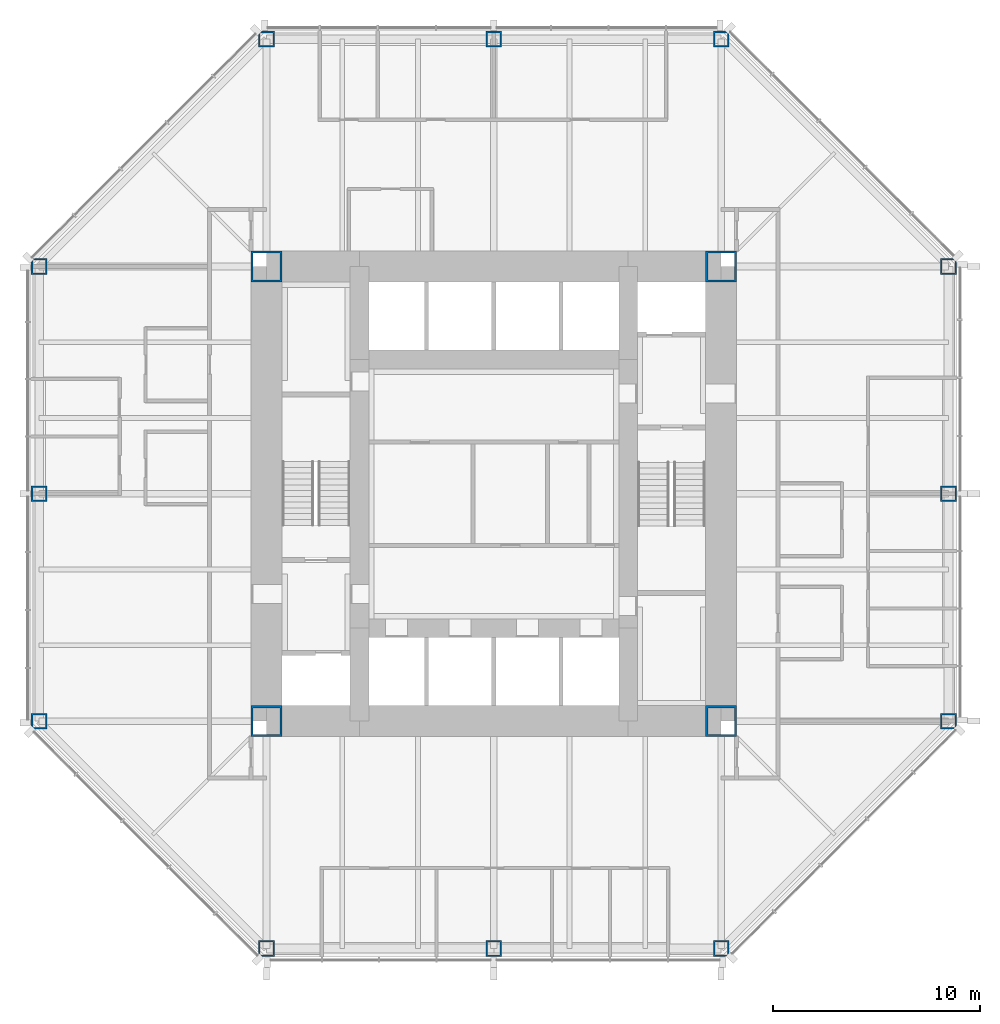
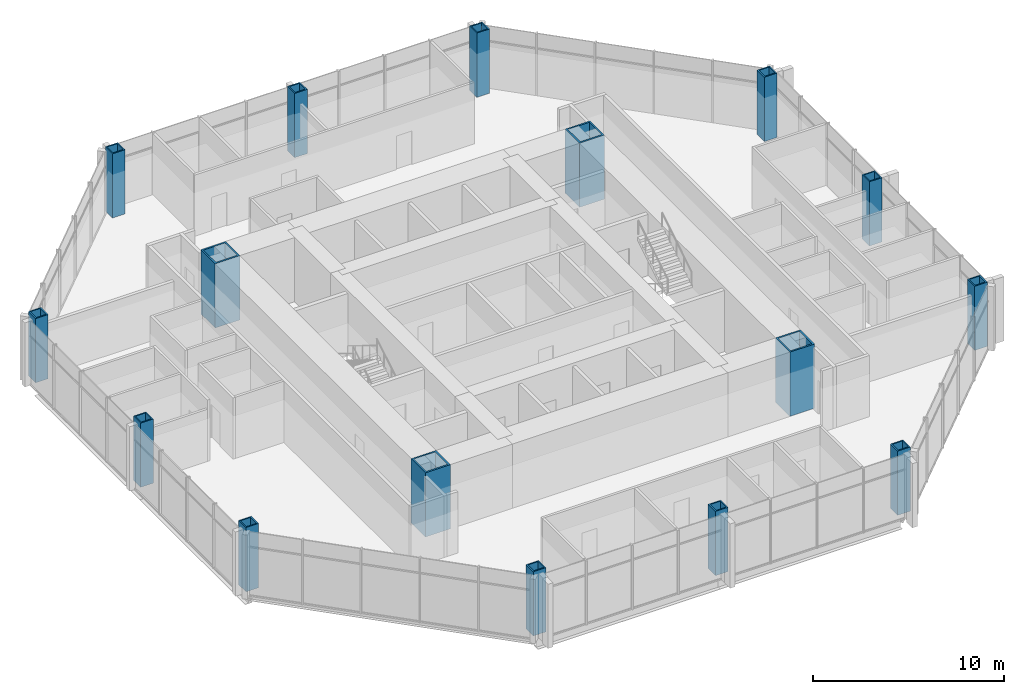
# One storey, part 1 of 12: 16 columns.
"""IFC4 building model written with IfcOpenShell, lengths in metres."""

from ifc_helpers import new_model, si_unit, direction, frame, origin, origin_2d, place, context, subcontext, project, spatial, hollow_rectangle, extrude, material, material_profile, profile_set, type_object, element, save


model = new_model("IFC4")

# Units and contexts
model_context = context("Model", 3, precision=1e-05, world=origin(), true_north=direction((0.0, 1.0)))
body_context = subcontext(model_context, "Body", "Model", "MODEL_VIEW")
ifc_project = project(units=[si_unit("LENGTHUNIT", "METRE"), si_unit("AREAUNIT", "SQUARE_METRE"), si_unit("VOLUMEUNIT", "CUBIC_METRE"), si_unit("PLANEANGLEUNIT", "RADIAN"), si_unit("MASSUNIT", "GRAM", prefix="KILO")], contexts=[model_context])

# Site, building, storey
site_placement = place(None, origin())
site = spatial("IfcSite", under=ifc_project, at=site_placement, CompositionType="ELEMENT")
building_placement = place(site_placement, origin())
building = spatial("IfcBuilding", under=site, at=building_placement, Name="Trevanion Tower", CompositionType="ELEMENT")
storey_placement = place(building_placement, frame((0.0, 0.0, 137.699951171875)))
storey = spatial("IfcBuildingStorey", under=building, at=storey_placement, Name="L32", CompositionType="ELEMENT", Elevation=137.699951171875)

# Columns
ifc_material_1 = material(Name="Steel ASTM A572 Grade 50", Category="steel")
ifc_material_profile_1 = material_profile(ifc_material_1, hollow_rectangle(XDim=0.761962890625, YDim=0.761962890625, WallThickness=0.076171875, at=origin_2d()), Name="BOX30X30X3")
ifc_profile_set_1 = profile_set([ifc_material_profile_1], Name="Steel ASTM A572 Grade 50")
column_type_1 = type_object("IfcColumnType", Name="C4 BOX30X30X3", PredefinedType="COLUMN", material=ifc_profile_set_1)
for number, where, z_axis, x_axis, name in (
    (1, (-22.0, 0.0, 0.0), (0.0, 0.0, 1.0), (0.0, 1.0, 0.0), "C4 4/H L32"),
    (2, (-22.0, -11.0, 0.0), (0.0, 0.0, 1.0), (0.0, 1.0, 0.0), "C4 4/F L32"),
    (3, (-11.0, -22.0, 0.0), (0.0, 0.0, 1.0), (1.0, 0.0, 0.0), "C4 8/B L32"),
    (4, (0.0, -22.0, 0.0), (0.0, 0.0, 1.0), (1.0, 0.0, 0.0), "C4 10/B L32"),
    (5, (11.0, -22.0, 0.0), (0.0, 0.0, 1.0), (1.0, 0.0, 0.0), "C4 12/B L32"),
    (6, (22.0, -11.0, 0.0), (0.0, 0.0, 1.0), (0.0, 1.0, 0.0), "C4 16/F L32"),
    (7, (22.0, 0.0, 0.0), (0.0, 0.0, 1.0), (0.0, 1.0, 0.0), "C4 16/H L32"),
    (8, (22.0, 11.0, 0.0), (0.0, 0.0, 1.0), (0.0, 1.0, 0.0), "C4 16/K L32"),
    (9, (11.0, 22.0, 0.0), (0.0, 0.0, 1.0), (1.0, 0.0, 0.0), "C4 12/P L32"),
    (10, (0.0, 22.0, 0.0), (0.0, 0.0, 1.0), (1.0, 0.0, 0.0), "C4 10/P L32"),
    (11, (-11.0, 22.0, 0.0), (0.0, 0.0, 1.0), (1.0, 0.0, 0.0), "C4 8/P L32"),
    (12, (-22.0, 11.0, 0.0), (0.0, 0.0, 1.0), (0.0, 1.0, 0.0), "C4 4/K L32"),
):
    element("IfcColumn", number, at=place(storey_placement, frame(where, z_axis=z_axis, x_axis=x_axis)), inside=storey, type_object=column_type_1, Name=name, PredefinedType="COLUMN", context=body_context, shape_type="SweptSolid", body=[
        extrude(hollow_rectangle(XDim=0.761962890625, YDim=0.761962890625, WallThickness=0.076171875, at=origin_2d()), origin(), (0.0, 0.0, 1.0), 4.10009765625),
    ])
ifc_material_2 = material(Name="Steel ASTM A572 Grade 50", Category="steel")
ifc_material_profile_2 = material_profile(ifc_material_2, hollow_rectangle(XDim=1.49853515625, YDim=1.49853515625, WallThickness=0.1015625, at=origin_2d()), Name="BOX59X59X4")
ifc_profile_set_2 = profile_set([ifc_material_profile_2], Name="Steel ASTM A572 Grade 50")
column_type_2 = type_object("IfcColumnType", Name="CB1 BOX59X59X4", PredefinedType="COLUMN", material=ifc_profile_set_2)
for number, where, z_axis, x_axis, name in (
    (13, (11.0, 11.0, 0.0), (0.0, 0.0, 1.0), (1.0, 0.0, 0.0), "CB1 NE L32"),
    (14, (-11.0, 11.0, 0.0), (0.0, 0.0, 1.0), (1.0, 0.0, 0.0), "CB1 NW L32"),
    (15, (-11.0, -11.0, 0.0), (0.0, 0.0, 1.0), (1.0, 0.0, 0.0), "CB1 SW L32"),
    (16, (11.0, -11.0, 0.0), (0.0, 0.0, 1.0), (1.0, 0.0, 0.0), "CB1 SE L32"),
):
    element("IfcColumn", number, at=place(storey_placement, frame(where, z_axis=z_axis, x_axis=x_axis)), inside=storey, type_object=column_type_2, Name=name, PredefinedType="COLUMN", context=body_context, shape_type="SweptSolid", body=[
        extrude(hollow_rectangle(XDim=1.49853515625, YDim=1.49853515625, WallThickness=0.1015625, at=origin_2d()), origin(), (0.0, 0.0, 1.0), 4.10009765625),
    ])

save(model, "model.ifc")
